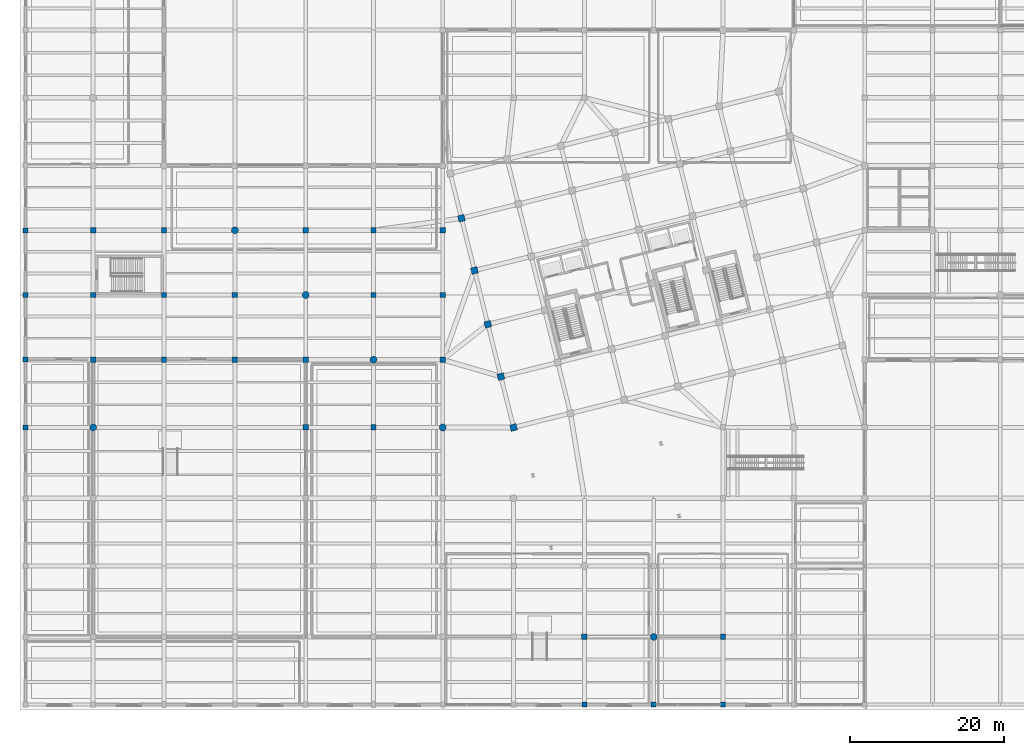
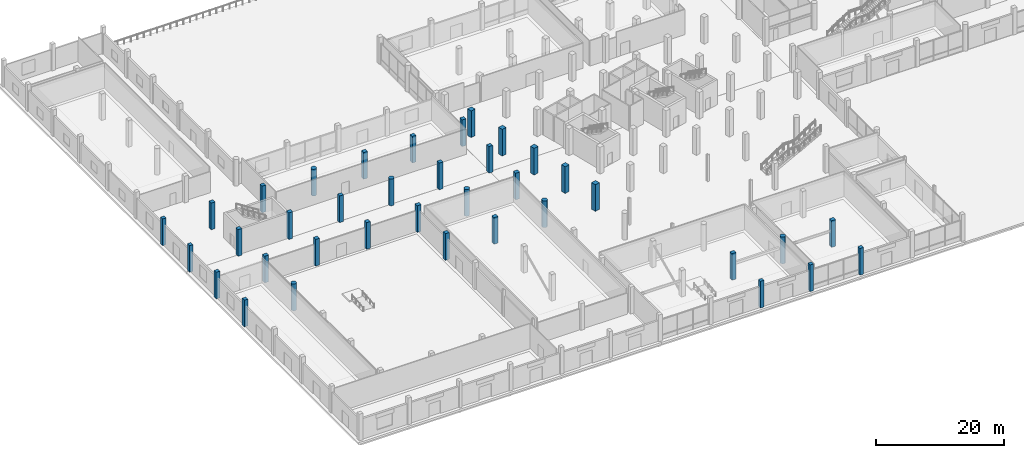
# One storey, part 3 of 73: 37 columns.
"""IFC4 building model written with IfcOpenShell, lengths in metres."""

from ifc_helpers import new_model, si_unit, direction, frame, origin, origin_2d, place, context, subcontext, project, spatial, rectangle, circle, extrude, material, material_profile, profile_set, type_object, element, save


model = new_model("IFC4")

# Units and contexts
model_context = context("Model", 3, precision=1e-05, world=origin(), true_north=direction((0.0, 1.0)))
body_context = subcontext(model_context, "Body", "Model", "MODEL_VIEW")
ifc_project = project(units=[si_unit("LENGTHUNIT", "METRE"), si_unit("AREAUNIT", "SQUARE_METRE"), si_unit("VOLUMEUNIT", "CUBIC_METRE"), si_unit("PLANEANGLEUNIT", "RADIAN"), si_unit("MASSUNIT", "GRAM", prefix="KILO")], contexts=[model_context])

# Site, building, storey
site_placement = place(None, origin())
site = spatial("IfcSite", under=ifc_project, at=site_placement, CompositionType="ELEMENT")
building_placement = place(site_placement, origin())
building = spatial("IfcBuilding", under=site, at=building_placement, Name="Meriwether Solvik Hall", CompositionType="ELEMENT")
storey_placement = place(building_placement, origin())
storey = spatial("IfcBuildingStorey", under=building, at=storey_placement, Name="L00", CompositionType="ELEMENT", Elevation=0.0)

# Columns
ifc_material_1 = material(Name="Concrete C40/50", Category="concrete")
ifc_material_profile_1 = material_profile(ifc_material_1, rectangle(XDim=0.64990234375, YDim=0.64990234375, at=origin_2d()), Name="RCC-650X650")
ifc_profile_set_1 = profile_set([ifc_material_profile_1], Name="Concrete C40/50")
column_type_1 = type_object("IfcColumnType", Name="COL-RC-650", PredefinedType="COLUMN", material=ifc_profile_set_1)
for number, where, z_axis, x_axis, name in (
    (1, (5.199951171875, 41.199951171875, 0.0), (0.0, 0.0, 1.0), (1.0, 0.0, 0.0), "Podium Column 1/E (L00)"),
    (2, (5.199951171875, 50.0, 0.0), (0.0, 0.0, 1.0), (1.0, 0.0, 0.0), "Podium Column 1/F (L00)"),
    (3, (5.199951171875, 58.39990234375, 0.0), (0.0, 0.0, 1.0), (1.0, 0.0, 0.0), "Podium Column 1/G (L00)"),
    (4, (5.199951171875, 66.800048828125, 0.0), (0.0, 0.0, 1.0), (1.0, 0.0, 0.0), "Podium Column 1/H (L00)"),
    (5, (77.800048828125, 5.199951171875, 0.0), (0.0, 0.0, 1.0), (1.0, 0.0, 0.0), "Podium Column 9/A (L00)"),
    (6, (86.800048828125, 5.199951171875, 0.0), (0.0, 0.0, 1.0), (1.0, 0.0, 0.0), "Podium Column 10/A (L00)"),
    (7, (95.800048828125, 5.199951171875, 0.0), (0.0, 0.0, 1.0), (1.0, 0.0, 0.0), "Podium Column 11/A (L00)"),
):
    element("IfcColumn", number, at=place(storey_placement, frame(where, z_axis=z_axis, x_axis=x_axis)), inside=storey, type_object=column_type_1, Name=name, PredefinedType="COLUMN", context=body_context, shape_type="SweptSolid", body=[
        extrude(rectangle(XDim=0.64990234375, YDim=0.64990234375, at=origin_2d()), origin(), (0.0, 0.0, 1.0), 5.10009765625),
    ])
ifc_material_2 = material(Name="Concrete C40/50", Category="concrete")
ifc_material_profile_2 = material_profile(ifc_material_2, rectangle(XDim=0.699951171875, YDim=0.699951171875, at=origin_2d()), Name="RCC-700X700")
ifc_profile_set_2 = profile_set([ifc_material_profile_2], Name="Concrete C40/50")
column_type_2 = type_object("IfcColumnType", Name="COL-RC-700", PredefinedType="COLUMN", material=ifc_profile_set_2)
for number, where, z_axis, x_axis, name in (
    (8, (14.0, 50.0, 0.0), (0.0, 0.0, 1.0), (1.0, 0.0, 0.0), "Podium Column 2/F (L00)"),
    (9, (14.0, 58.39990234375, 0.0), (0.0, 0.0, 1.0), (1.0, 0.0, 0.0), "Podium Column 2/G (L00)"),
    (10, (14.0, 66.800048828125, 0.0), (0.0, 0.0, 1.0), (1.0, 0.0, 0.0), "Podium Column 2/H (L00)"),
    (11, (23.199951171875, 50.0, 0.0), (0.0, 0.0, 1.0), (1.0, 0.0, 0.0), "Podium Column 3/F (L00)"),
    (12, (23.199951171875, 58.39990234375, 0.0), (0.0, 0.0, 1.0), (1.0, 0.0, 0.0), "Podium Column 3/G (L00)"),
    (13, (23.199951171875, 66.800048828125, 0.0), (0.0, 0.0, 1.0), (1.0, 0.0, 0.0), "Podium Column 3/H (L00)"),
    (14, (32.39990234375, 50.0, 0.0), (0.0, 0.0, 1.0), (1.0, 0.0, 0.0), "Podium Column 4/F (L00)"),
    (15, (32.39990234375, 58.39990234375, 0.0), (0.0, 0.0, 1.0), (1.0, 0.0, 0.0), "Podium Column 4/G (L00)"),
    (16, (41.60009765625, 41.199951171875, 0.0), (0.0, 0.0, 1.0), (1.0, 0.0, 0.0), "Podium Column 5/E (L00)"),
    (17, (41.60009765625, 50.0, 0.0), (0.0, 0.0, 1.0), (1.0, 0.0, 0.0), "Podium Column 5/F (L00)"),
    (18, (41.60009765625, 66.800048828125, 0.0), (0.0, 0.0, 1.0), (1.0, 0.0, 0.0), "Podium Column 5/H (L00)"),
    (19, (50.39990234375, 41.199951171875, 0.0), (0.0, 0.0, 1.0), (1.0, 0.0, 0.0), "Podium Column 6/E (L00)"),
    (20, (50.39990234375, 58.39990234375, 0.0), (0.0, 0.0, 1.0), (1.0, 0.0, 0.0), "Podium Column 6/G (L00)"),
    (21, (50.39990234375, 66.800048828125, 0.0), (0.0, 0.0, 1.0), (1.0, 0.0, 0.0), "Podium Column 6/H (L00)"),
    (22, (59.39990234375, 50.0, 0.0), (0.0, 0.0, 1.0), (1.0, 0.0, 0.0), "Podium Column 7/F (L00)"),
    (23, (59.39990234375, 58.39990234375, 0.0), (0.0, 0.0, 1.0), (1.0, 0.0, 0.0), "Podium Column 7/G (L00)"),
    (24, (59.39990234375, 66.800048828125, 0.0), (0.0, 0.0, 1.0), (1.0, 0.0, 0.0), "Podium Column 7/H (L00)"),
    (25, (77.800048828125, 14.0, 0.0), (0.0, 0.0, 1.0), (1.0, 0.0, 0.0), "Podium Column 9/B (L00)"),
    (26, (95.800048828125, 14.0, 0.0), (0.0, 0.0, 1.0), (1.0, 0.0, 0.0), "Podium Column 11/B (L00)"),
):
    element("IfcColumn", number, at=place(storey_placement, frame(where, z_axis=z_axis, x_axis=x_axis)), inside=storey, type_object=column_type_2, Name=name, PredefinedType="COLUMN", context=body_context, shape_type="SweptSolid", body=[
        extrude(rectangle(XDim=0.699951171875, YDim=0.699951171875, at=origin_2d()), origin(), (0.0, 0.0, 1.0), 5.10009765625),
    ])
ifc_material_3 = material(Name="Concrete C40/50", Category="concrete")
ifc_material_profile_3 = material_profile(ifc_material_3, rectangle(XDim=0.85009765625, YDim=0.85009765625, at=origin_2d()), Name="RCC-850X850")
ifc_profile_set_3 = profile_set([ifc_material_profile_3], Name="Concrete C40/50")
column_type_3 = type_object("IfcColumnType", Name="COL-RC-850", PredefinedType="COLUMN", material=ifc_profile_set_3)
for number, where, z_axis, x_axis, name in (
    (27, (68.60009765625, 41.199951171875, 0.0), (0.0, 0.0, 1.0), (0.970295726276, 0.2419218956, 0.0), "Tower Column T1/TA (L00)"),
    (28, (66.954833984375, 47.798095703125, 0.0), (0.0, 0.0, 1.0), (0.970295726276, 0.2419218956, 0.0), "Tower Column T1/TB (L00)"),
    (29, (65.261474609375, 54.590087890625, 0.0), (0.0, 0.0, 1.0), (0.970295726276, 0.2419218956, 0.0), "Tower Column T1/TC (L00)"),
    (30, (63.51953125, 61.576171875, 0.0), (0.0, 0.0, 1.0), (0.970295726276, 0.2419218956, 0.0), "Tower Column T1/TD (L00)"),
    (31, (61.826171875, 68.3681640625, 0.0), (0.0, 0.0, 1.0), (0.970295726276, 0.2419218956, 0.0), "Tower Column T1/TE (L00)"),
):
    element("IfcColumn", number, at=place(storey_placement, frame(where, z_axis=z_axis, x_axis=x_axis)), inside=storey, type_object=column_type_3, Name=name, PredefinedType="COLUMN", context=body_context, shape_type="SweptSolid", body=[
        extrude(rectangle(XDim=0.85009765625, YDim=0.85009765625, at=origin_2d()), origin(), (0.0, 0.0, 1.0), 5.10009765625),
    ])
ifc_material_4 = material(Name="Concrete C40/50", Category="concrete")
ifc_material_profile_4 = material_profile(ifc_material_4, circle(Radius=0.449951171875, at=origin_2d()), Name="RCC-D900")
ifc_profile_set_4 = profile_set([ifc_material_profile_4], Name="Concrete C40/50")
column_type_4 = type_object("IfcColumnType", Name="COL-RC-D900", PredefinedType="COLUMN", material=ifc_profile_set_4)
for number, where, z_axis, x_axis, name in (
    (32, (14.0, 41.199951171875, 0.0), (0.0, 0.0, 1.0), (1.0, 0.0, 0.0), "Podium Column 2/E (L00)"),
    (33, (32.39990234375, 66.800048828125, 0.0), (0.0, 0.0, 1.0), (1.0, 0.0, 0.0), "Podium Column 4/H (L00)"),
    (34, (41.60009765625, 58.39990234375, 0.0), (0.0, 0.0, 1.0), (1.0, 0.0, 0.0), "Podium Column 5/G (L00)"),
    (35, (50.39990234375, 50.0, 0.0), (0.0, 0.0, 1.0), (1.0, 0.0, 0.0), "Podium Column 6/F (L00)"),
    (36, (59.39990234375, 41.199951171875, 0.0), (0.0, 0.0, 1.0), (1.0, 0.0, 0.0), "Podium Column 7/E (L00)"),
    (37, (86.800048828125, 14.0, 0.0), (0.0, 0.0, 1.0), (1.0, 0.0, 0.0), "Podium Column 10/B (L00)"),
):
    element("IfcColumn", number, at=place(storey_placement, frame(where, z_axis=z_axis, x_axis=x_axis)), inside=storey, type_object=column_type_4, Name=name, PredefinedType="COLUMN", context=body_context, shape_type="SweptSolid", body=[
        extrude(circle(Radius=0.449951171875, at=origin_2d()), origin(), (0.0, 0.0, 1.0), 5.10009765625),
    ])

save(model, "model.ifc")
